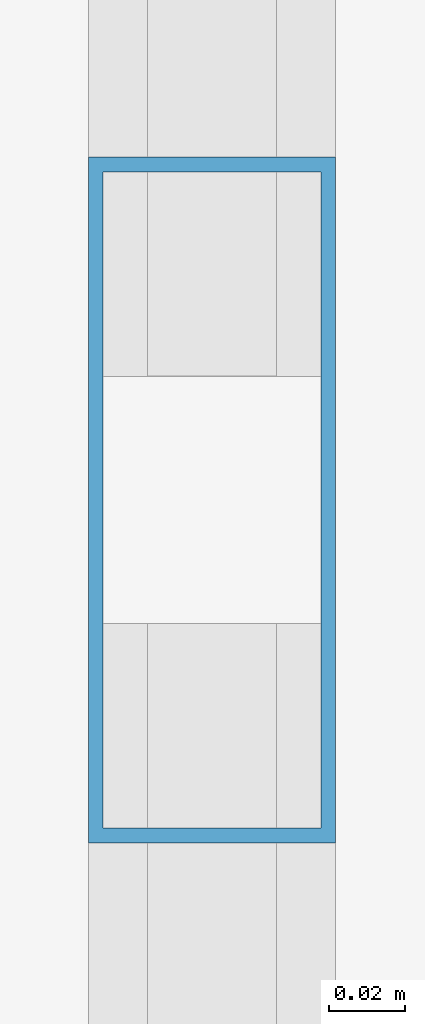
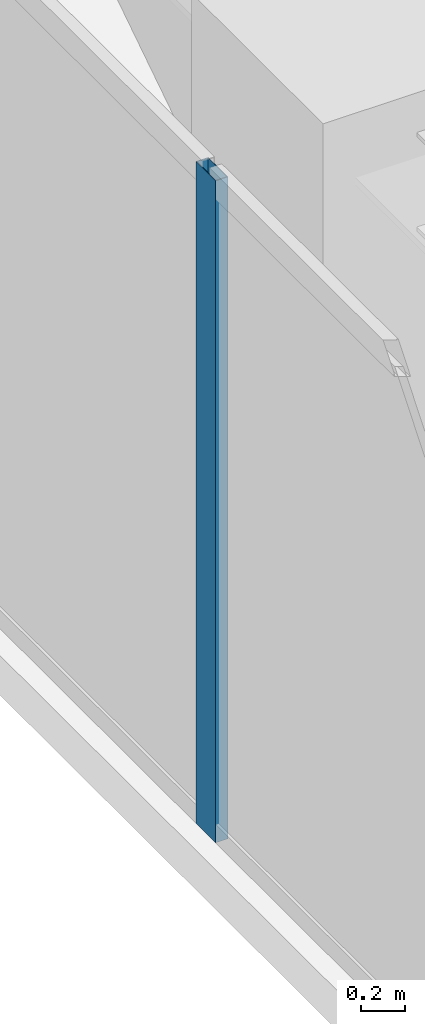
# One storey, part 13 of 30: 1 member, 1 element without a shape of its own.
"""IFC4 building model written with IfcOpenShell, lengths in metres."""

from ifc_helpers import new_model, si_unit, direction, frame, origin, origin_2d, place, context, subcontext, project, spatial, hollow_rectangle, extrude, material, layer, layer_set, material_profile, profile_set, type_object, element, aggregate, save


model = new_model("IFC4")

# Units and contexts
model_context = context("Model", 3, precision=1e-05, world=origin(), true_north=direction((0.0, 1.0)))
body_context = subcontext(model_context, "Body", "Model", "MODEL_VIEW")
ifc_project = project(units=[si_unit("LENGTHUNIT", "METRE"), si_unit("AREAUNIT", "SQUARE_METRE"), si_unit("VOLUMEUNIT", "CUBIC_METRE"), si_unit("PLANEANGLEUNIT", "RADIAN"), si_unit("MASSUNIT", "GRAM", prefix="KILO")], contexts=[model_context])

# Site, building, storey
site_placement = place(None, origin())
site = spatial("IfcSite", under=ifc_project, at=site_placement, CompositionType="ELEMENT")
building_placement = place(site_placement, origin())
building = spatial("IfcBuilding", under=site, at=building_placement, Name="Kiyonajd Concourse Tower", CompositionType="ELEMENT")
storey_placement = place(building_placement, frame((0.0, 0.0, 162.300048828125)))
storey = spatial("IfcBuildingStorey", under=building, at=storey_placement, Name="L41", CompositionType="ELEMENT", Elevation=162.300048828125)

# Curtain wall, member
ifc_material = material(Name="Thermally Broken Anodised Aluminium", Category="aluminium")
ifc_layer = layer(ifc_material, 0.179931640625)
ifc_layer_set = layer_set([ifc_layer], Name="Thermally Broken Anodised Aluminium")
curtain_wall_type = type_object("IfcCurtainWallType", Name="CW-SYS-03", PredefinedType="NOTDEFINED", material=ifc_layer_set)
curtain_wall_placement = place(storey_placement, origin())
curtain_wall = element("IfcCurtainWall", 1, at=curtain_wall_placement, inside=storey, type_object=curtain_wall_type, Name="L41 Unitised Curtain Wall CW3", PredefinedType="NOTDEFINED")
ifc_material_profile = material_profile(ifc_material, hollow_rectangle(XDim=0.06494140625, YDim=0.179931640625, WallThickness=0.00390625, at=origin_2d()), Name="MULL-65x180")
ifc_profile_set = profile_set([ifc_material_profile], Name="Thermally Broken Anodised Aluminium")
member_type = type_object("IfcMemberType", Name="MB-CW-MULL1", PredefinedType="MULLION", material=ifc_profile_set)
member_placement = place(storey_placement, frame((18.139892578125, 53.0146484375, 0.0), z_axis=(0.0, 0.0, 1.0), x_axis=(-1.0, 0.0, 0.0)))
member = element("IfcMember", 2, at=member_placement, type_object=member_type, Name="CW3 mullion 6", PredefinedType="MULLION", context=body_context, shape_type="SweptSolid", body=[
    extrude(hollow_rectangle(XDim=0.06494140625, YDim=0.179931640625, WallThickness=0.00390625, at=origin_2d()), origin(), (0.0, 0.0, 1.0), 3.679931640625),
])
aggregate(curtain_wall, [member])

save(model, "model.ifc")
